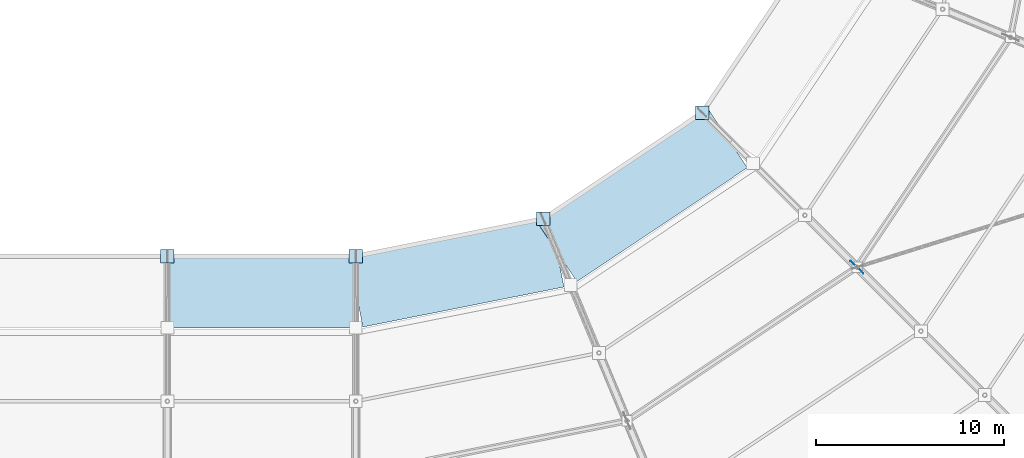
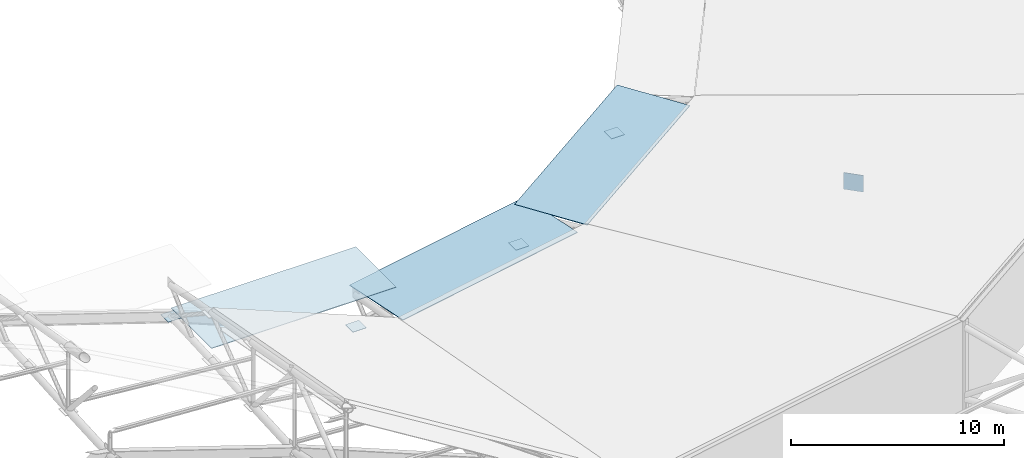
# One storey, part 114 of 146: 8 plates.
"""IFC4 building model written with IfcOpenShell, lengths in metres."""

from ifc_helpers import new_model, si_unit, direction, frame, origin, origin_2d, place, context, subcontext, project, spatial, rectangle, extrude, material, layer, layer_set, type_object, element, save


model = new_model("IFC4")

# Units and contexts
model_context = context("Model", 3, precision=1e-05, world=origin(), true_north=direction((0.0, 1.0)))
body_context = subcontext(model_context, "Body", "Model", "MODEL_VIEW")
ifc_project = project(units=[si_unit("LENGTHUNIT", "METRE"), si_unit("AREAUNIT", "SQUARE_METRE"), si_unit("VOLUMEUNIT", "CUBIC_METRE"), si_unit("PLANEANGLEUNIT", "RADIAN"), si_unit("MASSUNIT", "GRAM", prefix="KILO")], contexts=[model_context])

# Site, building, storey
site_placement = place(None, origin())
site = spatial("IfcSite", under=ifc_project, at=site_placement, CompositionType="ELEMENT")
building_placement = place(site_placement, origin())
building = spatial("IfcBuilding", under=site, at=building_placement, Name="Candeia Ridge Stadium", CompositionType="ELEMENT")
storey_placement = place(building_placement, frame((0.0, 0.0, 31.800048828125)))
storey = spatial("IfcBuildingStorey", under=building, at=storey_placement, Name="RF", CompositionType="ELEMENT", Elevation=31.800048828125)

# Plates
ifc_material_1 = material(Name="Steel ASTM A572 Grade 50", Category="steel")
ifc_layer_1 = layer(ifc_material_1, 0.02490234375, Name="Steel ASTM A572 Grade 50", Category="steel")
ifc_layer_set_1 = layer_set([ifc_layer_1], Name="Steel ASTM A572 Grade 50")
plate_type_1 = type_object("IfcPlateType", Name="Hollow Section End Closure Plate CP2", PredefinedType="SHEET", material=ifc_layer_set_1)
for number, where, z_axis, x_axis, name in (
    (1, (131.0, 45.0, 2.10595703125), (0.0, 0.0, 1.0), (1.0, 0.0, 0.0), "Hollow section end closure plate BCAP-TIP-24"),
    (2, (141.0, 45.0, -1.972412109375), (0.0, 0.0, 1.0), (1.0, 0.0, 0.0), "Hollow section end closure plate BCAP-TIP-25"),
    (3, (150.94970703125, 46.979248046875, -1.972412109375), (0.0, 0.0, 1.0), (1.0, 0.0, 0.0), "Hollow section end closure plate BCAP-TIP-26"),
    (4, (159.384765625, 52.615234375, -1.972412109375), (0.0, 0.0, 1.0), (1.0, 0.0, 0.0), "Hollow section end closure plate BCAP-TIP-27"),
):
    element("IfcPlate", number, at=place(storey_placement, frame(where, z_axis=z_axis, x_axis=x_axis)), inside=storey, type_object=plate_type_1, Name=name, PredefinedType="SHEET", context=body_context, shape_type="SweptSolid", body=[
        extrude(rectangle(XDim=0.719970703125, YDim=0.719970703125, at=origin_2d()), origin(), (0.0, 0.0, 1.0), 0.02490234375),
    ])
ifc_material_2 = material(Name="Polycarbonate Multiwall Glazing", Category="glass")
ifc_layer_2 = layer(ifc_material_2, 0.034912109375, Name="Polycarbonate Multiwall Glazing", Category="glass")
ifc_layer_set_2 = layer_set([ifc_layer_2], Name="Polycarbonate Multiwall Glazing")
plate_type_2 = type_object("IfcPlateType", Name="Inner Roof Polycarbonate Daylight Panel DP1", PredefinedType="SHEET", material=ifc_layer_set_2)
plate_1_placement = place(storey_placement, frame((136.0, 43.10009765625, 2.5634765625), z_axis=(0.0, 0.0, 1.0), x_axis=(1.0, 0.0, 0.0)))
element("IfcPlate", 5, at=plate_1_placement, inside=storey, type_object=plate_type_2, Name="Inner roof polycarbonate daylight ring panel 25", PredefinedType="SHEET", context=body_context, shape_type="SweptSolid", body=[
    extrude(rectangle(XDim=10.0, YDim=3.800048828125, at=origin_2d()), origin(), (0.0, 0.0, 1.0), 0.034912109375),
])
plate_2_placement = place(storey_placement, frame((156.20263671875, 48.247802734375, 0.52392578125), z_axis=(0.0, 0.0, 1.0), x_axis=(0.831469588992, 0.555570267906, 0.0)))
element("IfcPlate", 6, at=plate_2_placement, inside=storey, type_object=plate_type_2, Name="Inner roof polycarbonate daylight ring panel 27", PredefinedType="SHEET", context=body_context, shape_type="SweptSolid", body=[
    extrude(rectangle(XDim=10.885986328125, YDim=3.800048828125, at=origin_2d()), origin(), (0.0, 0.0, 1.0), 0.034912109375),
])
ifc_layer_3 = layer(ifc_material_2, 0.034912109375, Name="Polycarbonate Multiwall Glazing", Category="glass")
ifc_layer_set_3 = layer_set([ifc_layer_3], Name="Polycarbonate Multiwall Glazing")
plate_type_3 = type_object("IfcPlateType", Name="Inner Roof Polycarbonate Daylight Panel DP2", PredefinedType="SHEET", material=ifc_layer_set_3)
plate_3_placement = place(storey_placement, frame((146.33837890625, 44.161865234375, 0.52392578125), z_axis=(0.0, 0.0, 1.0), x_axis=(0.980785282416, 0.195090311899, 0.0)))
element("IfcPlate", 7, at=plate_3_placement, inside=storey, type_object=plate_type_3, Name="Inner roof polycarbonate daylight ring panel 26", PredefinedType="SHEET", context=body_context, shape_type="SweptSolid", body=[
    extrude(rectangle(XDim=10.885986328125, YDim=3.800048828125, at=origin_2d()), origin(), (0.0, 0.0, 1.0), 0.034912109375),
])
ifc_layer_4 = layer(ifc_material_1, 0.031982421875, Name="Steel ASTM A572 Grade 50", Category="steel")
ifc_layer_set_4 = layer_set([ifc_layer_4], Name="Steel ASTM A572 Grade 50")
plate_type_4 = type_object("IfcPlateType", Name="Roof Truss Inner Support Node Gusset ND-1", PredefinedType="USERDEFINED", material=ifc_layer_set_4)
plate_4_placement = place(storey_placement, frame((167.587158203125, 44.412841796875, -3.13916015625), z_axis=(0.0, 0.0, 1.0), x_axis=(0.707106781187, -0.707106781187, 0.0)))
element("IfcPlate", 8, at=plate_4_placement, inside=storey, type_object=plate_type_4, Name="Roof truss inner support node ND-1 bay 28", ObjectType="GUSSET PLATE", PredefinedType="USERDEFINED", context=body_context, shape_type="SweptSolid", body=[
    extrude(rectangle(XDim=0.949951171875, YDim=0.031982421875, at=origin_2d()), origin(), (0.0, 0.0, 1.0), 0.949951171875),
])

save(model, "model.ifc")
